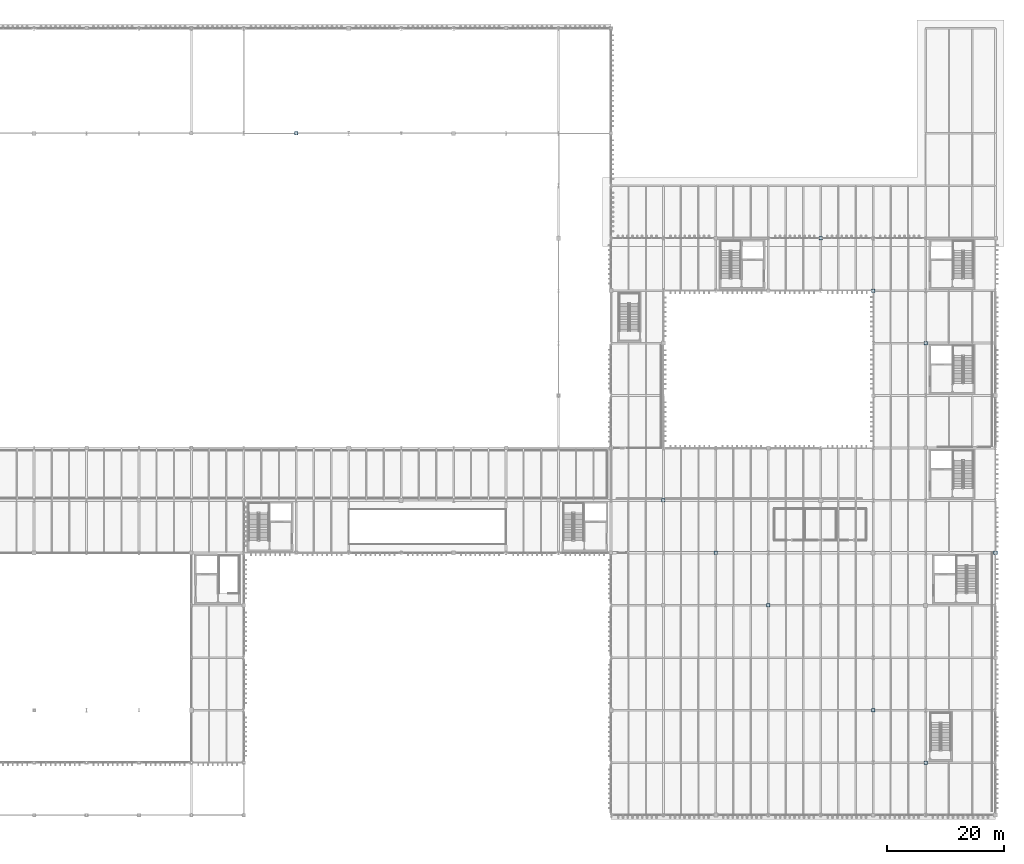
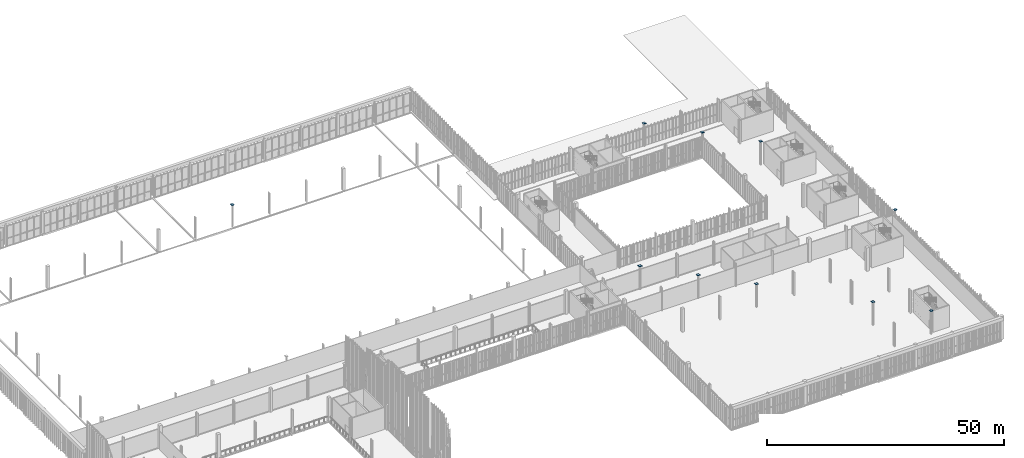
# One storey, part 203 of 237: 10 plates.
"""IFC4 building model written with IfcOpenShell, lengths in metres."""

from ifc_helpers import new_model, si_unit, direction, frame, origin, origin_2d, place, context, subcontext, project, spatial, rectangle, extrude, material, layer, layer_set, type_object, element, save


model = new_model("IFC4")

# Units and contexts
model_context = context("Model", 3, precision=1e-05, world=origin(), true_north=direction((0.0, 1.0)))
body_context = subcontext(model_context, "Body", "Model", "MODEL_VIEW")
ifc_project = project(units=[si_unit("LENGTHUNIT", "METRE"), si_unit("AREAUNIT", "SQUARE_METRE"), si_unit("VOLUMEUNIT", "CUBIC_METRE"), si_unit("PLANEANGLEUNIT", "RADIAN"), si_unit("MASSUNIT", "GRAM", prefix="KILO")], contexts=[model_context])

# Site, building, storey
site_placement = place(None, origin())
site = spatial("IfcSite", under=ifc_project, at=site_placement, CompositionType="ELEMENT")
building_placement = place(site_placement, origin())
building = spatial("IfcBuilding", under=site, at=building_placement, Name="Barlavento Convention Centre", CompositionType="ELEMENT")
storey_placement = place(building_placement, frame((0.0, 0.0, 12.0)))
storey = spatial("IfcBuildingStorey", under=building, at=storey_placement, Name="L02", CompositionType="ELEMENT", Elevation=12.0)

# Plates
ifc_material = material(Name="Steel S355", Category="steel")
ifc_layer = layer(ifc_material, 0.06005859375)
ifc_layer_set = layer_set([ifc_layer], Name="STR-PLT-CAP-620")
plate_type = type_object("IfcPlateType", Name="STR-PLT-CAP-620", PredefinedType="SHEET", material=ifc_layer_set)
for number, where, z_axis, x_axis, name in (
    (1, (72.0, 117.0, 5.625), (0.0, 0.0, 1.0), (1.0, 0.0, 0.0), "Hollow column sealing end-cap plate EC04"),
    (2, (135.0, 54.0, 5.969970703125), (0.0, 0.0, 1.0), (1.0, 0.0, 0.0), "Hollow column sealing end-cap plate EC04"),
    (3, (144.0, 45.0, 5.969970703125), (0.0, 0.0, 1.0), (1.0, 0.0, 0.0), "Hollow column sealing end-cap plate EC04"),
    (4, (153.0, 36.0, 5.969970703125), (0.0, 0.0, 1.0), (1.0, 0.0, 0.0), "Hollow column sealing end-cap plate EC04"),
    (5, (162.0, 99.0, 5.969970703125), (0.0, 0.0, 1.0), (1.0, 0.0, 0.0), "Hollow column sealing end-cap plate EC04"),
    (6, (171.0, 18.0, 5.969970703125), (0.0, 0.0, 1.0), (1.0, 0.0, 0.0), "Hollow column sealing end-cap plate EC04"),
    (7, (171.0, 90.0, 5.969970703125), (0.0, 0.0, 1.0), (1.0, 0.0, 0.0), "Hollow column sealing end-cap plate EC04"),
    (8, (180.0, 9.0, 5.969970703125), (0.0, 0.0, 1.0), (1.0, 0.0, 0.0), "Hollow column sealing end-cap plate EC04"),
    (9, (180.0, 81.0, 5.969970703125), (0.0, 0.0, 1.0), (1.0, 0.0, 0.0), "Hollow column sealing end-cap plate EC04"),
    (10, (192.0, 45.0, 5.969970703125), (0.0, 0.0, 1.0), (1.0, 0.0, 0.0), "Hollow column sealing end-cap plate EC04"),
):
    element("IfcPlate", number, at=place(storey_placement, frame(where, z_axis=z_axis, x_axis=x_axis)), inside=storey, type_object=plate_type, Name=name, PredefinedType="SHEET", context=body_context, shape_type="SweptSolid", body=[
        extrude(rectangle(XDim=0.6201171875, YDim=0.6201171875, at=origin_2d()), origin(), (0.0, 0.0, 1.0), 0.06005859375),
    ])

save(model, "model.ifc")
